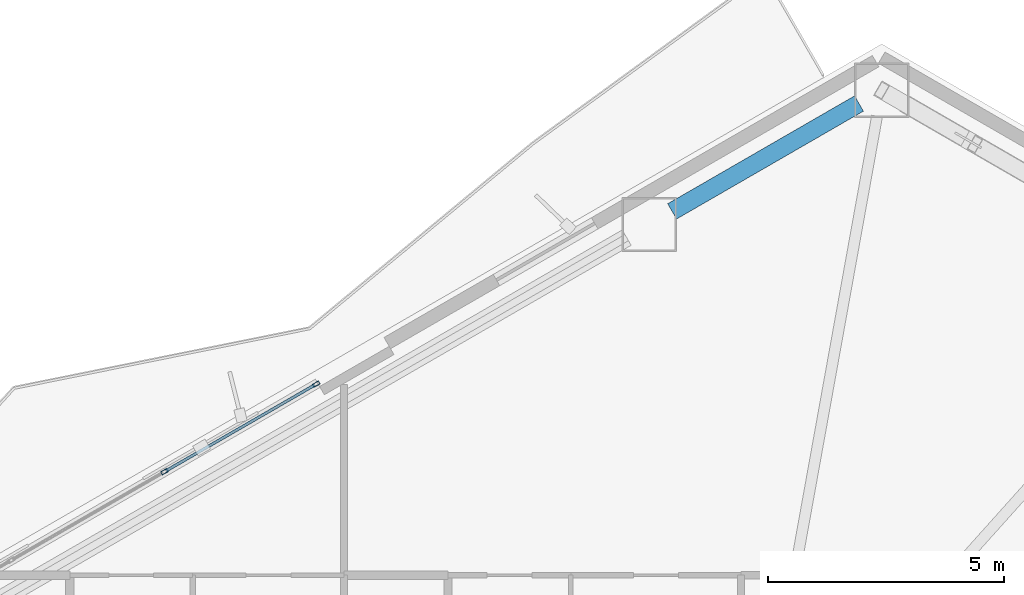
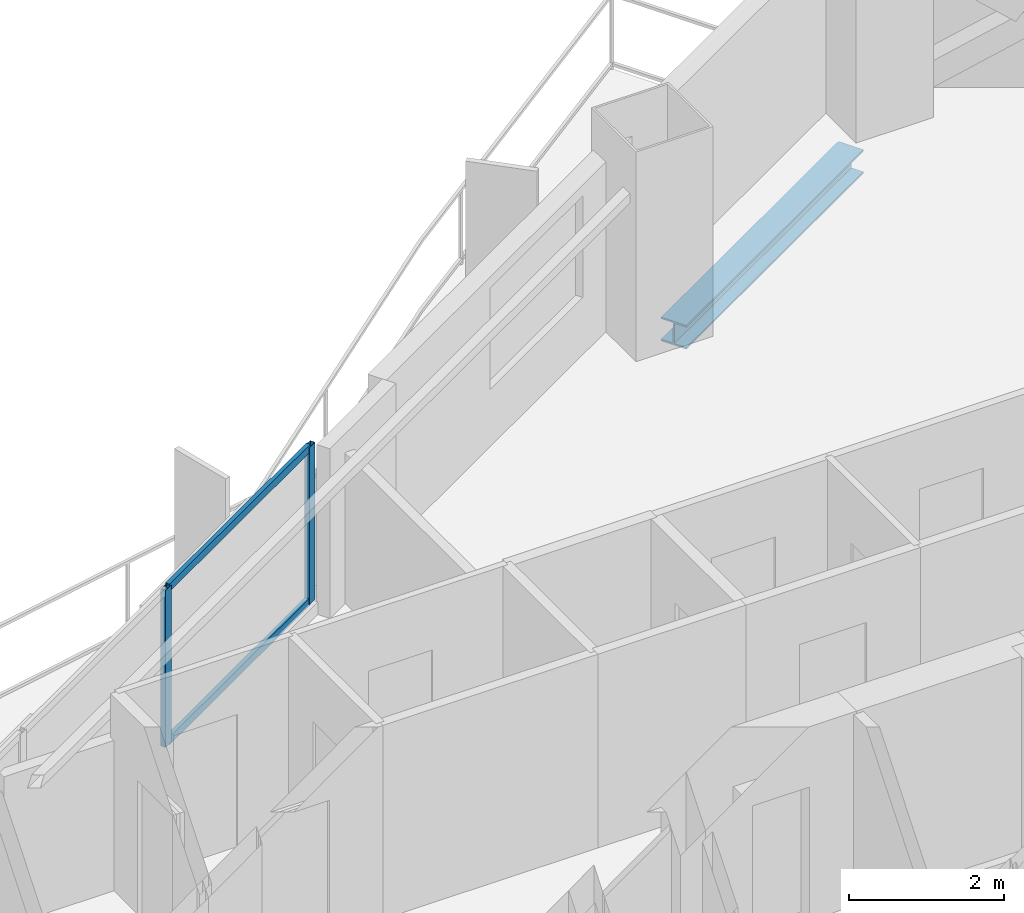
# One storey, part 13 of 23: 4 members, 1 beam, 1 element without a shape of its own.
"""IFC4 building model written with IfcOpenShell, lengths in metres."""

import ifcopenshell
import ifcopenshell.guid

model = None  # the IFC model being written
_history = None  # IfcOwnerHistory: only IFC2X3 demands one
_inside = {}  # id of a spatial element -> (the spatial element, [elements in it])
_under = {}  # id of a project, library or spatial element -> (it, [spatial elements below it])
_declared = {}  # id of a project -> (the project, [libraries it declares])
_typed = {}  # id of a type object -> (the type object, [elements of that type])
_made_of = {}  # id of a material, layer set ... -> (it, [elements and type objects made of it])


def new_model(schema):
    """Start an empty IFC model of exactly this schema.

    Asked for "IFC4X3", IfcOpenShell would pick the latest addendum, in which some entities
    have other attributes; the version numbers below select the first issue.
    IFC2X3 requires an IfcOwnerHistory on every rooted entity: one is made here for all.
    """
    global model, _history
    if schema == "IFC4X3":
        model = ifcopenshell.file(schema_version=(4, 3, 0, 0))
    else:
        model = ifcopenshell.file(schema=schema)
    _inside.clear()
    _under.clear()
    _declared.clear()
    _typed.clear()
    _made_of.clear()
    _history = None
    if model.schema == "IFC2X3":
        org = make("IfcOrganization", Name="unknown")
        user = make(
            "IfcPersonAndOrganization",
            ThePerson=make("IfcPerson", FamilyName="unknown"),
            TheOrganization=org,
        )
        app = make(
            "IfcApplication",
            ApplicationDeveloper=org,
            Version="unknown",
            ApplicationFullName="unknown",
            ApplicationIdentifier="unknown",
        )
        _history = make(
            "IfcOwnerHistory",
            OwningUser=user,
            OwningApplication=app,
            ChangeAction="ADDED",
            CreationDate=0,
        )
    return model


def make(cls, **values):
    """One entity of the class cls with the attributes given. An attribute that is None is left unset."""
    return model.create_entity(
        cls, **{name: value for name, value in values.items() if value is not None}
    )


def rooted(cls, **values):
    """An entity with a GlobalId (a new one), such as an element, a storey or a relation."""
    return make(cls, GlobalId=ifcopenshell.guid.new(), OwnerHistory=_history, **values)


def si_unit(unit_type, name, prefix=None):
    """IfcSIUnit, for example si_unit("LENGTHUNIT", "METRE", prefix="MILLI")."""
    return make("IfcSIUnit", UnitType=unit_type, Prefix=prefix, Name=name)


def assignment(units):
    """IfcUnitAssignment: the units of a project."""
    return None if units is None else make("IfcUnitAssignment", Units=units)


def point(xyz):
    """IfcCartesianPoint."""
    return None if xyz is None else make("IfcCartesianPoint", Coordinates=xyz)


def direction(xyz):
    """IfcDirection."""
    return None if xyz is None else make("IfcDirection", DirectionRatios=xyz)


def frame(location, z_axis=None, x_axis=None):
    """IfcAxis2Placement3D, a coordinate frame: its origin and axes. An axis left out is left unset."""
    return make(
        "IfcAxis2Placement3D",
        Location=point(location),
        Axis=direction(z_axis),
        RefDirection=direction(x_axis),
    )


def frame_2d(location, x_axis=None):
    """IfcAxis2Placement2D, a coordinate frame in the plane: its origin and x axis."""
    return make(
        "IfcAxis2Placement2D", Location=point(location), RefDirection=direction(x_axis)
    )


def origin():
    """The frame at (0, 0, 0) with its axes left unset."""
    return frame((0.0, 0.0, 0.0))


def origin_2d():
    """The frame at (0, 0) in the plane with its x axis left unset."""
    return frame_2d((0.0, 0.0))


def place(relative_to, where):
    """IfcLocalPlacement: puts the frame where relative to a parent placement (None: the world)."""
    return make(
        "IfcLocalPlacement", PlacementRelTo=relative_to, RelativePlacement=where
    )


def context(
    kind, dimensions, precision=None, world=None, true_north=None, identifier=None
):
    """IfcGeometricRepresentationContext, for example the 3D "Model" context."""
    return make(
        "IfcGeometricRepresentationContext",
        ContextIdentifier=identifier,
        ContextType=kind,
        CoordinateSpaceDimension=dimensions,
        Precision=precision,
        WorldCoordinateSystem=world,
        TrueNorth=true_north,
    )


def subcontext(parent, identifier, kind, view, scale=None):
    """IfcGeometricRepresentationSubContext, for example "Body" below "Model"."""
    return make(
        "IfcGeometricRepresentationSubContext",
        ContextIdentifier=identifier,
        ContextType=kind,
        ParentContext=parent,
        TargetScale=scale,
        TargetView=view,
    )


def project(units=None, contexts=None):
    """IfcProject with its units and contexts."""
    return rooted(
        "IfcProject",
        Name="project",
        RepresentationContexts=contexts,
        UnitsInContext=assignment(units),
    )


def spatial(cls, under=None, at=None, **own):
    """A site, building, storey or space (cls), placed at a placement, below another one or the project."""
    s = rooted(cls, ObjectPlacement=at, **own)
    if under is not None:
        _under.setdefault(under.id(), (under, []))[1].append(s)
    return s


def profile(cls, at=None, kind="AREA", **sizes):
    """A parametric profile (cls). Its sizes go by their IFC names, for example OverallWidth=200.0."""
    return make(cls, ProfileType=kind, Position=at, **sizes)


def hollow_rectangle(**sizes):
    """IfcRectangleHollowProfileDef."""
    return profile("IfcRectangleHollowProfileDef", **sizes)


def i_section(**sizes):
    """IfcIShapeProfileDef."""
    return profile("IfcIShapeProfileDef", **sizes)


def extrude(swept, where, along, depth):
    """IfcExtrudedAreaSolid: the profile swept, set in the frame where, extruded along a direction by depth."""
    return make(
        "IfcExtrudedAreaSolid",
        SweptArea=swept,
        Position=where,
        ExtrudedDirection=direction(along),
        Depth=depth,
    )


def shape(context_of_items, identifier, shape_type, items):
    """IfcShapeRepresentation: the items that make up one representation, for example the "Body"."""
    return make(
        "IfcShapeRepresentation",
        ContextOfItems=context_of_items,
        RepresentationIdentifier=identifier,
        RepresentationType=shape_type,
        Items=items,
    )


def material(Name=None, Category=None):
    """IfcMaterial."""
    return make("IfcMaterial", Name=Name, Category=Category)


def layer(
    of_material, thickness, ventilated=None, Name=None, Category=None, Priority=None
):
    """IfcMaterialLayer: one layer of a wall or slab, of a material (None: an air gap)."""
    return make(
        "IfcMaterialLayer",
        Material=of_material,
        LayerThickness=thickness,
        IsVentilated=ventilated,
        Name=Name,
        Category=Category,
        Priority=Priority,
    )


def layer_set(layers, Name=None):
    """IfcMaterialLayerSet."""
    return make("IfcMaterialLayerSet", MaterialLayers=layers, LayerSetName=Name)


def material_profile(
    of_material, cross_section, Name=None, Category=None, Priority=None
):
    """IfcMaterialProfile: a cross section and its material."""
    return make(
        "IfcMaterialProfile",
        Name=Name,
        Material=of_material,
        Profile=cross_section,
        Priority=Priority,
        Category=Category,
    )


def profile_set(profiles, Name=None, composite=None):
    """IfcMaterialProfileSet."""
    return make(
        "IfcMaterialProfileSet",
        Name=Name,
        MaterialProfiles=profiles,
        CompositeProfile=composite,
    )


def made_of(thing, what):
    """Note that an element or type object is made of a material, layer set ...; save() writes the relation."""
    if what is not None:
        _made_of.setdefault(what.id(), (what, []))[1].append(thing)
    return thing


def type_object(cls, material=None, **own):
    """A type object (cls), such as IfcWallType, which elements share."""
    return made_of(rooted(cls, **own), material)


def element(
    cls,
    number,
    at=None,
    inside=None,
    cuts=None,
    type_object=None,
    material=None,
    context=None,
    identifier="Body",
    shape_type=None,
    held_by="IfcProductDefinitionShape",
    body=None,
    shapes=None,
    **own,
):
    """One element of the class cls, such as IfcWall. Its Tag is "e" and its number.

    at: its placement. inside: the storey or other place that contains it. cuts: it is an
    opening in that element (IfcRelVoidsElement). A single representation is given by context,
    identifier, shape_type and body (its items); several are given by shapes. held_by: the class
    of the entity that holds the representations. save() writes the other relations.
    """
    e = rooted(cls, Tag="e%d" % number, ObjectPlacement=at, **own)
    if body is not None:
        shapes = [shape(context, identifier, shape_type, body)]
    if shapes is not None:
        e.Representation = make(held_by, Representations=shapes)
    if inside is not None:
        _inside.setdefault(inside.id(), (inside, []))[1].append(e)
    if cuts is not None:
        rooted(
            "IfcRelVoidsElement", RelatingBuildingElement=cuts, RelatedOpeningElement=e
        )
    if type_object is not None:
        _typed.setdefault(type_object.id(), (type_object, []))[1].append(e)
    return made_of(e, material)


def aggregate(whole, parts):
    """IfcRelAggregates: a whole, such as a stair, and the parts it consists of."""
    return rooted("IfcRelAggregates", RelatingObject=whole, RelatedObjects=parts)


def save(model, path):
    """Write the relations noted so far, then the file.

    IfcRelAggregates (storeys below a building ...), IfcRelContainedInSpatialStructure (elements
    in a storey), IfcRelDefinesByType, IfcRelAssociatesMaterial and IfcRelDeclares: one each for
    every whole, place, type object, material and project.
    """
    for whole, parts in _under.values():
        aggregate(whole, parts)
    for where, things in _inside.values():
        rooted(
            "IfcRelContainedInSpatialStructure",
            RelatedElements=things,
            RelatingStructure=where,
        )
    for kind, things in _typed.values():
        rooted("IfcRelDefinesByType", RelatedObjects=things, RelatingType=kind)
    for what, things in _made_of.values():
        rooted("IfcRelAssociatesMaterial", RelatedObjects=things, RelatingMaterial=what)
    for by, libraries in _declared.values():
        rooted("IfcRelDeclares", RelatingContext=by, RelatedDefinitions=libraries)
    model.write(path)


model = new_model("IFC4")

# Units and contexts
model_context = context("Model", 3, precision=1e-05, world=origin(), true_north=direction((0.0, 1.0)))
body_context = subcontext(model_context, "Body", "Model", "MODEL_VIEW")
ifc_project = project(units=[si_unit("LENGTHUNIT", "METRE"), si_unit("AREAUNIT", "SQUARE_METRE"), si_unit("VOLUMEUNIT", "CUBIC_METRE"), si_unit("PLANEANGLEUNIT", "RADIAN"), si_unit("MASSUNIT", "GRAM", prefix="KILO")], contexts=[model_context])

# Site, building, storey
site_placement = place(None, origin())
site = spatial("IfcSite", under=ifc_project, at=site_placement, CompositionType="ELEMENT")
building_placement = place(site_placement, origin())
building = spatial("IfcBuilding", under=site, at=building_placement, Name="Mersakhor Tower and Convention Hall", CompositionType="ELEMENT")
storey_placement = place(building_placement, frame((0.0, 0.0, 93.300048828125)))
storey = spatial("IfcBuildingStorey", under=building, at=storey_placement, Name="L25", CompositionType="ELEMENT", Elevation=93.300048828125)

# Beam
ifc_material_1 = material(Name="Steel S355", Category="steel")
ifc_material_profile_1 = material_profile(ifc_material_1, i_section(OverallWidth=0.374755859375, OverallDepth=0.37451171875, WebThickness=0.0166015625, FlangeThickness=0.027099609375, at=origin_2d()), Name="UC 356x368x202")
ifc_profile_set_1 = profile_set([ifc_material_profile_1], Name="Steel S355")
beam_type = type_object("IfcBeamType", Name="BM-SPD-UC356", PredefinedType="SPANDREL", material=ifc_profile_set_1)
beam_placement = place(storey_placement, frame((34.343505859375, 45.34814453125, -0.437255859375), z_axis=(0.866046694585, 0.499963121439, 0.0), x_axis=(-0.499963121439, 0.866046694585, 0.0)))
element("IfcBeam", 1, at=beam_placement, inside=storey, type_object=beam_type, Name="L25 Perimeter Spandrel Beam SPB-03", PredefinedType="SPANDREL", context=body_context, shape_type="SweptSolid", body=[
    extrude(i_section(OverallWidth=0.374755859375, OverallDepth=0.37451171875, WebThickness=0.0166015625, FlangeThickness=0.027099609375, at=origin_2d()), origin(), (0.0, 0.0, 1.0), 4.566162109375),
])

# Curtain wall, members
ifc_material_2 = material(Name="Dark solar low-E aluminium curtain wall", Category="aluminium")
ifc_layer = layer(ifc_material_2, 0.159912109375)
ifc_layer_set = layer_set([ifc_layer], Name="Dark solar low-E aluminium curtain wall")
curtain_wall_type = type_object("IfcCurtainWallType", Name="CW-SYS-01", PredefinedType="USERDEFINED", material=ifc_layer_set)
curtain_wall_placement = place(storey_placement, origin())
curtain_wall = element("IfcCurtainWall", 2, at=curtain_wall_placement, inside=storey, type_object=curtain_wall_type, Name="L25 Dark-Glass Curtain Wall F1-B2", ObjectType="CURTAIN WALL", PredefinedType="USERDEFINED")
ifc_material_3 = material(Name="Anodised aluminium EN AW-6063 T6", Category="aluminium")
ifc_material_profile_2 = material_profile(ifc_material_3, hollow_rectangle(XDim=0.074951171875, YDim=0.14990234375, WallThickness=0.00634765625, at=origin_2d()), Name="RHS 150x75x6.3")
ifc_profile_set_2 = profile_set([ifc_material_profile_2], Name="Anodised aluminium EN AW-6063 T6")
member_type_1 = type_object("IfcMemberType", Name="CWM-150x75", PredefinedType="MULLION", material=ifc_profile_set_2)
member_1_placement = place(storey_placement, frame((23.603515625, 39.840087890625, 0.199951171875), z_axis=(0.0, 0.0, 1.0), x_axis=(-0.499997904985, 0.866026613339, 0.0)))
member_1 = element("IfcMember", 3, at=member_1_placement, type_object=member_type_1, Name="CW-01 mullion 3", PredefinedType="MULLION", context=body_context, shape_type="SweptSolid", body=[
    extrude(hollow_rectangle(XDim=0.074951171875, YDim=0.14990234375, WallThickness=0.00634765625, at=origin_2d()), origin(), (0.0, 0.0, 1.0), 2.469970703125),
])
member_2_placement = place(storey_placement, frame((26.812744140625, 41.69287109375, 0.199951171875), z_axis=(0.0, 0.0, 1.0), x_axis=(-0.499997904985, 0.866026613339, 0.0)))
member_2 = element("IfcMember", 4, at=member_2_placement, type_object=member_type_1, Name="CW-01 mullion 4", PredefinedType="MULLION", context=body_context, shape_type="SweptSolid", body=[
    extrude(hollow_rectangle(XDim=0.074951171875, YDim=0.14990234375, WallThickness=0.00634765625, at=origin_2d()), origin(), (0.0, 0.0, 1.0), 2.469970703125),
])
ifc_material_4 = material(Name="Anodised aluminium EN AW-6063 T6", Category="aluminium")
ifc_material_profile_3 = material_profile(ifc_material_4, hollow_rectangle(XDim=0.06005859375, YDim=0.1201171875, WallThickness=0.0048828125, at=origin_2d()), Name="RHS 120x60x5")
ifc_profile_set_3 = profile_set([ifc_material_profile_3], Name="Anodised aluminium EN AW-6063 T6")
member_type_2 = type_object("IfcMemberType", Name="CWT-120x60", PredefinedType="USERDEFINED", material=ifc_profile_set_3)
member_3_placement = place(storey_placement, frame((23.635986328125, 39.85888671875, 0.22998046875), z_axis=(0.866016497289, 0.500015426185, 0.0), x_axis=(-0.500015426185, 0.866016497289, 0.0)))
member_3 = element("IfcMember", 5, at=member_3_placement, type_object=member_type_2, Name="CW-01 transom 3.1", ObjectType="TRANSOM", PredefinedType="USERDEFINED", context=body_context, shape_type="SweptSolid", body=[
    extrude(hollow_rectangle(XDim=0.06005859375, YDim=0.1201171875, WallThickness=0.0048828125, at=origin_2d()), origin(), (0.0, 0.0, 1.0), 3.630859375),
])
member_4_placement = place(storey_placement, frame((23.635986328125, 39.85888671875, 2.639892578125), z_axis=(0.866016497289, 0.500015426185, 0.0), x_axis=(-0.500015426185, 0.866016497289, 0.0)))
member_4 = element("IfcMember", 6, at=member_4_placement, type_object=member_type_2, Name="CW-01 transom 3.2", ObjectType="TRANSOM", PredefinedType="USERDEFINED", context=body_context, shape_type="SweptSolid", body=[
    extrude(hollow_rectangle(XDim=0.06005859375, YDim=0.1201171875, WallThickness=0.0048828125, at=origin_2d()), origin(), (0.0, 0.0, 1.0), 3.630859375),
])
aggregate(curtain_wall, [member_1, member_2, member_3, member_4])

save(model, "model.ifc")
